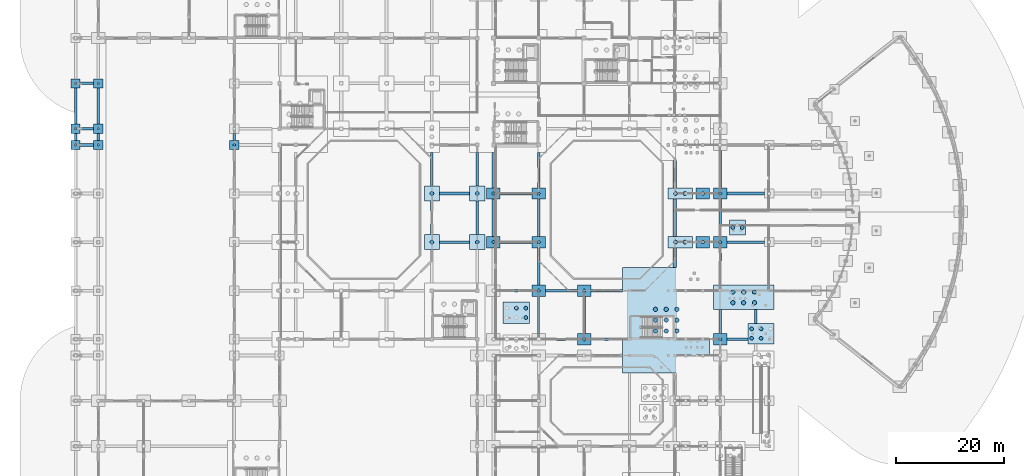
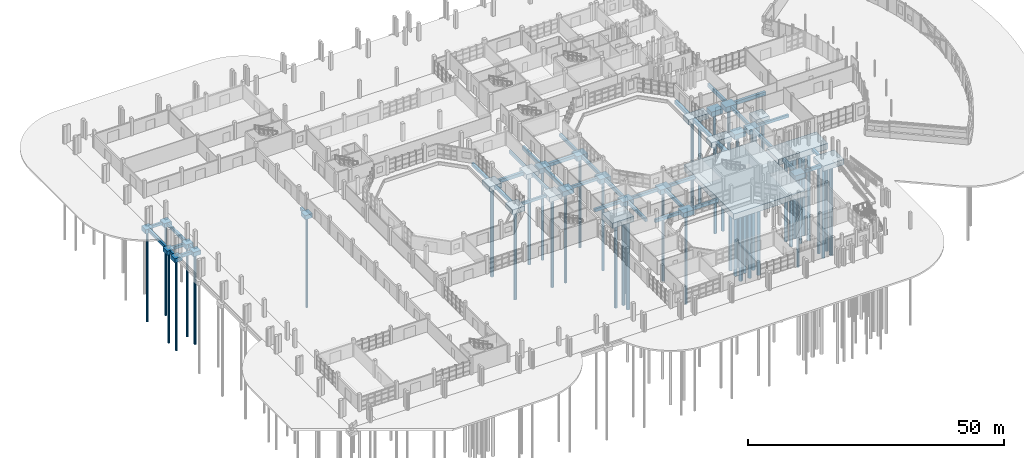
# One storey, part 4 of 88: 69 footings, 51 piles.
"""IFC4 building model written with IfcOpenShell, lengths in metres."""

from ifc_helpers import new_model, si_unit, direction, frame, origin, origin_2d, place, context, subcontext, project, spatial, rectangle, circle, extrude, material, material_profile, profile_set, type_object, element, save


model = new_model("IFC4")

# Units and contexts
model_context = context("Model", 3, precision=1e-05, world=origin(), true_north=direction((0.0, 1.0)))
body_context = subcontext(model_context, "Body", "Model", "MODEL_VIEW")
ifc_project = project(units=[si_unit("LENGTHUNIT", "METRE"), si_unit("AREAUNIT", "SQUARE_METRE"), si_unit("VOLUMEUNIT", "CUBIC_METRE"), si_unit("PLANEANGLEUNIT", "RADIAN"), si_unit("MASSUNIT", "GRAM", prefix="KILO")], contexts=[model_context])

# Site, building, storey
site_placement = place(None, origin())
site = spatial("IfcSite", under=ifc_project, at=site_placement, CompositionType="ELEMENT")
building_placement = place(site_placement, origin())
building = spatial("IfcBuilding", under=site, at=building_placement, Name="Vanh Quang Courtyard School", CompositionType="ELEMENT")
storey_placement = place(building_placement, origin())
storey = spatial("IfcBuildingStorey", under=building, at=storey_placement, Name="L00", CompositionType="ELEMENT", Elevation=0.0)

# Footings
ifc_material_1 = material(Name="Concrete C35/45", Category="concrete")
footing_type_1 = type_object("IfcFootingType", Name="FTG-GB-450x650", PredefinedType="FOOTING_BEAM", material=ifc_material_1)
footing_1_placement = place(storey_placement, frame((70.199951171875, 50.39990234375, -1.050048828125), z_axis=(0.0, 0.0, 1.0), x_axis=(1.0, 0.0, 0.0)))
element("IfcFooting", 1, at=footing_1_placement, inside=storey, type_object=footing_type_1, Name="Footing GB-04 (L00)", PredefinedType="FOOTING_BEAM", context=body_context, shape_type="SweptSolid", body=[
    extrude(rectangle(XDim=5.60009765625, YDim=0.449951171875, at=origin_2d()), origin(), (0.0, 0.0, 1.0), 0.64990234375),
])
footing_2_placement = place(storey_placement, frame((81.60009765625, 50.39990234375, -1.050048828125), z_axis=(0.0, 0.0, 1.0), x_axis=(1.0, 0.0, 0.0)))
element("IfcFooting", 2, at=footing_2_placement, inside=storey, type_object=footing_type_1, Name="Footing GB-04 (L00)", PredefinedType="FOOTING_BEAM", context=body_context, shape_type="SweptSolid", body=[
    extrude(rectangle(XDim=5.89990234375, YDim=0.449951171875, at=origin_2d()), origin(), (0.0, 0.0, 1.0), 0.64990234375),
])
footing_3_placement = place(storey_placement, frame((124.14990234375, 50.39990234375, -1.050048828125), z_axis=(0.0, 0.0, 1.0), x_axis=(1.0, 0.0, 0.0)))
element("IfcFooting", 3, at=footing_3_placement, inside=storey, type_object=footing_type_1, Name="Footing GB-04 (L00)", PredefinedType="FOOTING_BEAM", context=body_context, shape_type="SweptSolid", body=[
    extrude(rectangle(XDim=7.0, YDim=0.449951171875, at=origin_2d()), origin(), (0.0, 0.0, 1.0), 0.64990234375),
])
footing_4_placement = place(storey_placement, frame((2.10009765625, 79.800048828125, -1.050048828125), z_axis=(0.0, 0.0, 1.0), x_axis=(1.0, 0.0, 0.0)))
element("IfcFooting", 4, at=footing_4_placement, inside=storey, type_object=footing_type_1, Name="Footing GB-04 (L00)", PredefinedType="FOOTING_BEAM", context=body_context, shape_type="SweptSolid", body=[
    extrude(rectangle(XDim=2.5, YDim=0.449951171875, at=origin_2d()), origin(), (0.0, 0.0, 1.0), 0.64990234375),
])
for number, where, z_axis, x_axis, name in (
    (5, (74.39990234375, 54.89990234375, -1.050048828125), (0.0, 0.0, 1.0), (0.0, 1.0, 0.0), "Footing GB-04 (L00)"),
    (6, (74.39990234375, 63.89990234375, -1.050048828125), (0.0, 0.0, 1.0), (0.0, 1.0, 0.0), "Footing GB-04 (L00)"),
):
    element("IfcFooting", number, at=place(storey_placement, frame(where, z_axis=z_axis, x_axis=x_axis)), inside=storey, type_object=footing_type_1, Name=name, PredefinedType="FOOTING_BEAM", context=body_context, shape_type="SweptSolid", body=[
        extrude(rectangle(XDim=6.199951171875, YDim=0.449951171875, at=origin_2d()), origin(), (0.0, 0.0, 1.0), 0.64990234375),
    ])
footing_type_2 = type_object("IfcFootingType", Name="FTG-GB-500x700", PredefinedType="FOOTING_BEAM", material=ifc_material_1)
for number, where, z_axis, x_axis, name in (
    (7, (81.60009765625, 41.39990234375, -1.10009765625), (0.0, 0.0, 1.0), (1.0, 0.0, 0.0), "Footing GB-03 (L00)"),
    (8, (90.0, 41.39990234375, -1.10009765625), (0.0, 0.0, 1.0), (1.0, 0.0, 0.0), "Footing GB-03 (L00)"),
    (9, (98.39990234375, 41.39990234375, -1.10009765625), (0.0, 0.0, 1.0), (1.0, 0.0, 0.0), "Footing GB-03 (L00)"),
):
    element("IfcFooting", number, at=place(storey_placement, frame(where, z_axis=z_axis, x_axis=x_axis)), inside=storey, type_object=footing_type_2, Name=name, PredefinedType="FOOTING_BEAM", context=body_context, shape_type="SweptSolid", body=[
        extrude(rectangle(XDim=5.89990234375, YDim=0.5, at=origin_2d()), origin(), (0.0, 0.0, 1.0), 0.699951171875),
    ])
footing_5_placement = place(storey_placement, frame((2.10009765625, 71.39990234375, -1.10009765625), z_axis=(0.0, 0.0, 1.0), x_axis=(1.0, 0.0, 0.0)))
element("IfcFooting", 10, at=footing_5_placement, inside=storey, type_object=footing_type_2, Name="Footing GB-03 (L00)", PredefinedType="FOOTING_BEAM", context=body_context, shape_type="SweptSolid", body=[
    extrude(rectangle(XDim=2.5, YDim=0.5, at=origin_2d()), origin(), (0.0, 0.0, 1.0), 0.699951171875),
])
footing_6_placement = place(storey_placement, frame((4.199951171875, 69.89990234375, -1.10009765625), z_axis=(0.0, 0.0, 1.0), x_axis=(0.0, 1.0, 0.0)))
element("IfcFooting", 11, at=footing_6_placement, inside=storey, type_object=footing_type_2, Name="Footing GB-03 (L00)", PredefinedType="FOOTING_BEAM", context=body_context, shape_type="SweptSolid", body=[
    extrude(rectangle(XDim=1.300048828125, YDim=0.5, at=origin_2d()), origin(), (0.0, 0.0, 1.0), 0.699951171875),
])
footing_7_placement = place(storey_placement, frame((4.199951171875, 75.60009765625, -1.10009765625), z_axis=(0.0, 0.0, 1.0), x_axis=(0.0, 1.0, 0.0)))
element("IfcFooting", 12, at=footing_7_placement, inside=storey, type_object=footing_type_2, Name="Footing GB-03 (L00)", PredefinedType="FOOTING_BEAM", context=body_context, shape_type="SweptSolid", body=[
    extrude(rectangle(XDim=6.699951171875, YDim=0.5, at=origin_2d()), origin(), (0.0, 0.0, 1.0), 0.699951171875),
])
for number, where, z_axis, x_axis, name in (
    (13, (66.0, 54.89990234375, -1.10009765625), (0.0, 0.0, 1.0), (0.0, 1.0, 0.0), "Footing GB-03 (L00)"),
    (14, (66.0, 63.89990234375, -1.10009765625), (0.0, 0.0, 1.0), (0.0, 1.0, 0.0), "Footing GB-03 (L00)"),
):
    element("IfcFooting", number, at=place(storey_placement, frame(where, z_axis=z_axis, x_axis=x_axis)), inside=storey, type_object=footing_type_2, Name=name, PredefinedType="FOOTING_BEAM", context=body_context, shape_type="SweptSolid", body=[
        extrude(rectangle(XDim=6.199951171875, YDim=0.5, at=origin_2d()), origin(), (0.0, 0.0, 1.0), 0.699951171875),
    ])
footing_8_placement = place(storey_placement, frame((94.199951171875, 36.89990234375, -1.10009765625), z_axis=(0.0, 0.0, 1.0), x_axis=(0.0, 1.0, 0.0)))
element("IfcFooting", 15, at=footing_8_placement, inside=storey, type_object=footing_type_2, Name="Footing GB-03 (L00)", PredefinedType="FOOTING_BEAM", context=body_context, shape_type="SweptSolid", body=[
    extrude(rectangle(XDim=6.89990234375, YDim=0.5, at=origin_2d()), origin(), (0.0, 0.0, 1.0), 0.699951171875),
])
footing_9_placement = place(storey_placement, frame((126.0, 36.6201171875, -1.10009765625), z_axis=(0.0, 0.0, 1.0), x_axis=(0.0, 1.0, 0.0)))
element("IfcFooting", 16, at=footing_9_placement, inside=storey, type_object=footing_type_2, Name="Footing GB-03 (L00)", PredefinedType="FOOTING_BEAM", context=body_context, shape_type="SweptSolid", body=[
    extrude(rectangle(XDim=2.5400390625, YDim=0.5, at=origin_2d()), origin(), (0.0, 0.0, 1.0), 0.699951171875),
])
footing_type_3 = type_object("IfcFootingType", Name="FTG-GB-500x750", PredefinedType="FOOTING_BEAM", material=ifc_material_1)
for number, where, z_axis, x_axis, name in (
    (17, (90.0, 32.39990234375, -1.14990234375), (0.0, 0.0, 1.0), (1.0, 0.0, 0.0), "Footing GB-02 (L00)"),
    (18, (98.39990234375, 32.39990234375, -1.14990234375), (0.0, 0.0, 1.0), (1.0, 0.0, 0.0), "Footing GB-02 (L00)"),
):
    element("IfcFooting", number, at=place(storey_placement, frame(where, z_axis=z_axis, x_axis=x_axis)), inside=storey, type_object=footing_type_3, Name=name, PredefinedType="FOOTING_BEAM", context=body_context, shape_type="SweptSolid", body=[
        extrude(rectangle(XDim=5.89990234375, YDim=0.5, at=origin_2d()), origin(), (0.0, 0.0, 1.0), 0.75),
    ])
footing_10_placement = place(storey_placement, frame((122.625, 32.39990234375, -1.14990234375), z_axis=(0.0, 0.0, 1.0), x_axis=(1.0, 0.0, 0.0)))
element("IfcFooting", 19, at=footing_10_placement, inside=storey, type_object=footing_type_3, Name="Footing GB-02 (L00)", PredefinedType="FOOTING_BEAM", context=body_context, shape_type="SweptSolid", body=[
    extrude(rectangle(XDim=3.949951171875, YDim=0.5, at=origin_2d()), origin(), (0.0, 0.0, 1.0), 0.75),
])
footing_11_placement = place(storey_placement, frame((2.10009765625, 68.39990234375, -1.14990234375), z_axis=(0.0, 0.0, 1.0), x_axis=(1.0, 0.0, 0.0)))
element("IfcFooting", 20, at=footing_11_placement, inside=storey, type_object=footing_type_3, Name="Footing GB-02 (L00)", PredefinedType="FOOTING_BEAM", context=body_context, shape_type="SweptSolid", body=[
    extrude(rectangle(XDim=2.5, YDim=0.5, at=origin_2d()), origin(), (0.0, 0.0, 1.0), 0.75),
])
footing_12_placement = place(storey_placement, frame((0.0, 69.89990234375, -1.14990234375), z_axis=(0.0, 0.0, 1.0), x_axis=(0.0, 1.0, 0.0)))
element("IfcFooting", 21, at=footing_12_placement, inside=storey, type_object=footing_type_3, Name="Footing GB-02 (L00)", PredefinedType="FOOTING_BEAM", context=body_context, shape_type="SweptSolid", body=[
    extrude(rectangle(XDim=1.300048828125, YDim=0.5, at=origin_2d()), origin(), (0.0, 0.0, 1.0), 0.75),
])
footing_13_placement = place(storey_placement, frame((0.0, 75.60009765625, -1.14990234375), z_axis=(0.0, 0.0, 1.0), x_axis=(0.0, 1.0, 0.0)))
element("IfcFooting", 22, at=footing_13_placement, inside=storey, type_object=footing_type_3, Name="Footing GB-02 (L00)", PredefinedType="FOOTING_BEAM", context=body_context, shape_type="SweptSolid", body=[
    extrude(rectangle(XDim=6.699951171875, YDim=0.5, at=origin_2d()), origin(), (0.0, 0.0, 1.0), 0.75),
])
footing_14_placement = place(storey_placement, frame((29.39990234375, 69.89990234375, -1.14990234375), z_axis=(0.0, 0.0, 1.0), x_axis=(0.0, 1.0, 0.0)))
element("IfcFooting", 23, at=footing_14_placement, inside=storey, type_object=footing_type_3, Name="Footing GB-02 (L00)", PredefinedType="FOOTING_BEAM", context=body_context, shape_type="SweptSolid", body=[
    extrude(rectangle(XDim=1.300048828125, YDim=0.5, at=origin_2d()), origin(), (0.0, 0.0, 1.0), 0.75),
])
for number, where, z_axis, x_axis, name in (
    (24, (85.800048828125, 36.89990234375, -1.14990234375), (0.0, 0.0, 1.0), (0.0, 1.0, 0.0), "Footing GB-02 (L00)"),
    (25, (85.800048828125, 45.89990234375, -1.14990234375), (0.0, 0.0, 1.0), (0.0, 1.0, 0.0), "Footing GB-02 (L00)"),
    (26, (85.800048828125, 54.89990234375, -1.14990234375), (0.0, 0.0, 1.0), (0.0, 1.0, 0.0), "Footing GB-02 (L00)"),
):
    element("IfcFooting", number, at=place(storey_placement, frame(where, z_axis=z_axis, x_axis=x_axis)), inside=storey, type_object=footing_type_3, Name=name, PredefinedType="FOOTING_BEAM", context=body_context, shape_type="SweptSolid", body=[
        extrude(rectangle(XDim=6.89990234375, YDim=0.5, at=origin_2d()), origin(), (0.0, 0.0, 1.0), 0.75),
    ])
footing_15_placement = place(storey_placement, frame((85.800048828125, 63.72509765625, -1.14990234375), z_axis=(0.0, 0.0, 1.0), x_axis=(0.0, 1.0, 0.0)))
element("IfcFooting", 27, at=footing_15_placement, inside=storey, type_object=footing_type_3, Name="Footing GB-02 (L00)", PredefinedType="FOOTING_BEAM", context=body_context, shape_type="SweptSolid", body=[
    extrude(rectangle(XDim=6.550048828125, YDim=0.5, at=origin_2d()), origin(), (0.0, 0.0, 1.0), 0.75),
])
footing_16_placement = place(storey_placement, frame((119.39990234375, 35.669921875, -1.14990234375), z_axis=(0.0, 0.0, 1.0), x_axis=(0.0, 1.0, 0.0)))
element("IfcFooting", 28, at=footing_16_placement, inside=storey, type_object=footing_type_3, Name="Footing GB-02 (L00)", PredefinedType="FOOTING_BEAM", context=body_context, shape_type="SweptSolid", body=[
    extrude(rectangle(XDim=4.43994140625, YDim=0.5, at=origin_2d()), origin(), (0.0, 0.0, 1.0), 0.75),
])
for number, where, z_axis, x_axis, name in (
    (29, (119.39990234375, 45.89990234375, -1.14990234375), (0.0, 0.0, 1.0), (0.0, 1.0, 0.0), "Footing GB-02 (L00)"),
    (30, (119.39990234375, 54.89990234375, -1.14990234375), (0.0, 0.0, 1.0), (0.0, 1.0, 0.0), "Footing GB-02 (L00)"),
    (31, (119.39990234375, 63.89990234375, -1.14990234375), (0.0, 0.0, 1.0), (0.0, 1.0, 0.0), "Footing GB-02 (L00)"),
):
    element("IfcFooting", number, at=place(storey_placement, frame(where, z_axis=z_axis, x_axis=x_axis)), inside=storey, type_object=footing_type_3, Name=name, PredefinedType="FOOTING_BEAM", context=body_context, shape_type="SweptSolid", body=[
        extrude(rectangle(XDim=6.89990234375, YDim=0.5, at=origin_2d()), origin(), (0.0, 0.0, 1.0), 0.75),
    ])
footing_type_4 = type_object("IfcFootingType", Name="FTG-GB-600x800", PredefinedType="FOOTING_BEAM", material=ifc_material_1)
footing_17_placement = place(storey_placement, frame((70.199951171875, 59.39990234375, -1.2001953125), z_axis=(0.0, 0.0, 1.0), x_axis=(1.0, 0.0, 0.0)))
element("IfcFooting", 32, at=footing_17_placement, inside=storey, type_object=footing_type_4, Name="Footing GB-01 (L00)", PredefinedType="FOOTING_BEAM", context=body_context, shape_type="SweptSolid", body=[
    extrude(rectangle(XDim=5.60009765625, YDim=0.60009765625, at=origin_2d()), origin(), (0.0, 0.0, 1.0), 0.800048828125),
])
footing_18_placement = place(storey_placement, frame((81.60009765625, 59.39990234375, -1.2001953125), z_axis=(0.0, 0.0, 1.0), x_axis=(1.0, 0.0, 0.0)))
element("IfcFooting", 33, at=footing_18_placement, inside=storey, type_object=footing_type_4, Name="Footing GB-01 (L00)", PredefinedType="FOOTING_BEAM", context=body_context, shape_type="SweptSolid", body=[
    extrude(rectangle(XDim=5.89990234375, YDim=0.60009765625, at=origin_2d()), origin(), (0.0, 0.0, 1.0), 0.800048828125),
])
footing_19_placement = place(storey_placement, frame((124.14990234375, 59.39990234375, -1.2001953125), z_axis=(0.0, 0.0, 1.0), x_axis=(1.0, 0.0, 0.0)))
element("IfcFooting", 34, at=footing_19_placement, inside=storey, type_object=footing_type_4, Name="Footing GB-01 (L00)", PredefinedType="FOOTING_BEAM", context=body_context, shape_type="SweptSolid", body=[
    extrude(rectangle(XDim=7.0, YDim=0.60009765625, at=origin_2d()), origin(), (0.0, 0.0, 1.0), 0.800048828125),
])
footing_20_placement = place(storey_placement, frame((77.39990234375, 54.89990234375, -1.2001953125), z_axis=(0.0, 0.0, 1.0), x_axis=(0.0, 1.0, 0.0)))
element("IfcFooting", 35, at=footing_20_placement, inside=storey, type_object=footing_type_4, Name="Footing GB-01 (L00)", PredefinedType="FOOTING_BEAM", context=body_context, shape_type="SweptSolid", body=[
    extrude(rectangle(XDim=6.89990234375, YDim=0.60009765625, at=origin_2d()), origin(), (0.0, 0.0, 1.0), 0.800048828125),
])
footing_21_placement = place(storey_placement, frame((77.39990234375, 63.72509765625, -1.2001953125), z_axis=(0.0, 0.0, 1.0), x_axis=(0.0, 1.0, 0.0)))
element("IfcFooting", 36, at=footing_21_placement, inside=storey, type_object=footing_type_4, Name="Footing GB-01 (L00)", PredefinedType="FOOTING_BEAM", context=body_context, shape_type="SweptSolid", body=[
    extrude(rectangle(XDim=6.550048828125, YDim=0.60009765625, at=origin_2d()), origin(), (0.0, 0.0, 1.0), 0.800048828125),
])
footing_22_placement = place(storey_placement, frame((111.0, 47.52490234375, -1.2001953125), z_axis=(0.0, 0.0, 1.0), x_axis=(0.0, 1.0, 0.0)))
element("IfcFooting", 37, at=footing_22_placement, inside=storey, type_object=footing_type_4, Name="Footing GB-01 (L00)", PredefinedType="FOOTING_BEAM", context=body_context, shape_type="SweptSolid", body=[
    extrude(rectangle(XDim=3.64990234375, YDim=0.60009765625, at=origin_2d()), origin(), (0.0, 0.0, 1.0), 0.800048828125),
])
footing_23_placement = place(storey_placement, frame((111.0, 54.89990234375, -1.2001953125), z_axis=(0.0, 0.0, 1.0), x_axis=(0.0, 1.0, 0.0)))
element("IfcFooting", 38, at=footing_23_placement, inside=storey, type_object=footing_type_4, Name="Footing GB-01 (L00)", PredefinedType="FOOTING_BEAM", context=body_context, shape_type="SweptSolid", body=[
    extrude(rectangle(XDim=6.89990234375, YDim=0.60009765625, at=origin_2d()), origin(), (0.0, 0.0, 1.0), 0.800048828125),
])
footing_24_placement = place(storey_placement, frame((111.0, 63.0, -1.2001953125), z_axis=(0.0, 0.0, 1.0), x_axis=(0.0, 1.0, 0.0)))
element("IfcFooting", 39, at=footing_24_placement, inside=storey, type_object=footing_type_4, Name="Footing GB-01 (L00)", PredefinedType="FOOTING_BEAM", context=body_context, shape_type="SweptSolid", body=[
    extrude(rectangle(XDim=5.10009765625, YDim=0.60009765625, at=origin_2d()), origin(), (0.0, 0.0, 1.0), 0.800048828125),
])
footing_type_5 = type_object("IfcFootingType", Name="FTG-PC-01", PredefinedType="PILE_CAP", material=ifc_material_1)
for number, where, z_axis, x_axis, name in (
    (40, (0.0, 68.39990234375, -1.39990234375), (0.0, 0.0, 1.0), (1.0, 0.0, 0.0), "Footing PC-01 (L00)"),
    (41, (4.199951171875, 68.39990234375, -1.39990234375), (0.0, 0.0, 1.0), (1.0, 0.0, 0.0), "Footing PC-01 (L00)"),
    (42, (29.39990234375, 68.39990234375, -1.39990234375), (0.0, 0.0, 1.0), (1.0, 0.0, 0.0), "Footing PC-01 (L00)"),
    (43, (0.0, 71.39990234375, -1.39990234375), (0.0, 0.0, 1.0), (1.0, 0.0, 0.0), "Footing PC-01 (L00)"),
    (44, (4.199951171875, 71.39990234375, -1.39990234375), (0.0, 0.0, 1.0), (1.0, 0.0, 0.0), "Footing PC-01 (L00)"),
    (45, (0.0, 79.800048828125, -1.39990234375), (0.0, 0.0, 1.0), (1.0, 0.0, 0.0), "Footing PC-01 (L00)"),
    (46, (4.199951171875, 79.800048828125, -1.39990234375), (0.0, 0.0, 1.0), (1.0, 0.0, 0.0), "Footing PC-01 (L00)"),
):
    element("IfcFooting", number, at=place(storey_placement, frame(where, z_axis=z_axis, x_axis=x_axis)), inside=storey, type_object=footing_type_5, Name=name, PredefinedType="PILE_CAP", context=body_context, shape_type="SweptSolid", body=[
        extrude(rectangle(XDim=1.699951171875, YDim=1.699951171875, at=origin_2d()), origin(), (0.0, 0.0, 1.0), 1.0),
    ])
footing_type_6 = type_object("IfcFootingType", Name="FTG-PC-03", PredefinedType="PILE_CAP", material=ifc_material_1)
for number, where, z_axis, x_axis, name in (
    (47, (94.199951171875, 32.39990234375, -1.550048828125), (0.0, 0.0, 1.0), (1.0, 0.0, 0.0), "Footing PC-03 (L00)"),
    (48, (119.39990234375, 32.39990234375, -1.550048828125), (0.0, 0.0, 1.0), (1.0, 0.0, 0.0), "Footing PC-03 (L00)"),
    (49, (85.800048828125, 41.39990234375, -1.550048828125), (0.0, 0.0, 1.0), (1.0, 0.0, 0.0), "Footing PC-03 (L00)"),
    (50, (94.199951171875, 41.39990234375, -1.550048828125), (0.0, 0.0, 1.0), (1.0, 0.0, 0.0), "Footing PC-03 (L00)"),
    (51, (77.39990234375, 50.39990234375, -1.550048828125), (0.0, 0.0, 1.0), (1.0, 0.0, 0.0), "Footing PC-03 (L00)"),
    (52, (85.800048828125, 50.39990234375, -1.550048828125), (0.0, 0.0, 1.0), (1.0, 0.0, 0.0), "Footing PC-03 (L00)"),
    (53, (116.199951171875, 50.39990234375, -1.550048828125), (0.0, 0.0, 1.0), (1.0, 0.0, 0.0), "Footing PC-03 (L00)"),
    (54, (119.39990234375, 50.39990234375, -1.550048828125), (0.0, 0.0, 1.0), (1.0, 0.0, 0.0), "Footing PC-03 (L00)"),
    (55, (77.39990234375, 59.39990234375, -1.550048828125), (0.0, 0.0, 1.0), (1.0, 0.0, 0.0), "Footing PC-03 (L00)"),
    (56, (85.800048828125, 59.39990234375, -1.550048828125), (0.0, 0.0, 1.0), (1.0, 0.0, 0.0), "Footing PC-03 (L00)"),
    (57, (116.199951171875, 59.39990234375, -1.550048828125), (0.0, 0.0, 1.0), (1.0, 0.0, 0.0), "Footing PC-03 (L00)"),
    (58, (119.39990234375, 59.39990234375, -1.550048828125), (0.0, 0.0, 1.0), (1.0, 0.0, 0.0), "Footing PC-03 (L00)"),
):
    element("IfcFooting", number, at=place(storey_placement, frame(where, z_axis=z_axis, x_axis=x_axis)), inside=storey, type_object=footing_type_6, Name=name, PredefinedType="PILE_CAP", context=body_context, shape_type="SweptSolid", body=[
        extrude(rectangle(XDim=2.5, YDim=2.10009765625, at=origin_2d()), origin(), (0.0, 0.0, 1.0), 1.14990234375),
    ])
footing_type_7 = type_object("IfcFootingType", Name="FTG-PC-11", PredefinedType="PILE_CAP", material=ifc_material_1)
footing_25_placement = place(storey_placement, frame((109.39990234375, 35.945068359375, -1.800048828125), z_axis=(0.0, 0.0, 1.0), x_axis=(1.0, 0.0, 0.0)))
element("IfcFooting", 59, at=footing_25_placement, inside=storey, type_object=footing_type_7, Name="Footing PC-11 (L00)", PredefinedType="PILE_CAP", context=body_context, shape_type="SweptSolid", body=[
    extrude(rectangle(XDim=16.10009765625, YDim=19.510009765625, at=origin_2d()), origin(), (0.0, 0.0, 1.0), 1.39990234375),
])
footing_type_8 = type_object("IfcFootingType", Name="FTG-PC-14", PredefinedType="PILE_CAP", material=ifc_material_1)
for number, where, z_axis, x_axis, name in (
    (60, (66.0, 50.39990234375, -1.550048828125), (0.0, 0.0, 1.0), (1.0, 0.0, 0.0), "Footing PC-14 (L00)"),
    (61, (74.39990234375, 50.39990234375, -1.550048828125), (0.0, 0.0, 1.0), (1.0, 0.0, 0.0), "Footing PC-14 (L00)"),
    (62, (66.0, 59.39990234375, -1.550048828125), (0.0, 0.0, 1.0), (1.0, 0.0, 0.0), "Footing PC-14 (L00)"),
    (63, (74.39990234375, 59.39990234375, -1.550048828125), (0.0, 0.0, 1.0), (1.0, 0.0, 0.0), "Footing PC-14 (L00)"),
):
    element("IfcFooting", number, at=place(storey_placement, frame(where, z_axis=z_axis, x_axis=x_axis)), inside=storey, type_object=footing_type_8, Name=name, PredefinedType="PILE_CAP", context=body_context, shape_type="SweptSolid", body=[
        extrude(rectangle(XDim=2.800048828125, YDim=2.800048828125, at=origin_2d()), origin(), (0.0, 0.0, 1.0), 1.14990234375),
    ])
footing_type_9 = type_object("IfcFootingType", Name="FTG-PC-16", PredefinedType="PILE_CAP", material=ifc_material_1)
footing_26_placement = place(storey_placement, frame((126.97509765625, 33.449951171875, -1.64990234375), z_axis=(0.0, 0.0, 1.0), x_axis=(1.0, 0.0, 0.0)))
element("IfcFooting", 64, at=footing_26_placement, inside=storey, type_object=footing_type_9, Name="Footing PC-16 (L00)", PredefinedType="PILE_CAP", context=body_context, shape_type="SweptSolid", body=[
    extrude(rectangle(XDim=4.75, YDim=3.800048828125, at=origin_2d()), origin(), (0.0, 0.0, 1.0), 1.25),
])
footing_type_10 = type_object("IfcFootingType", Name="FTG-PC-17", PredefinedType="PILE_CAP", material=ifc_material_1)
footing_27_placement = place(storey_placement, frame((81.64990234375, 37.294921875, -1.64990234375), z_axis=(0.0, 0.0, 1.0), x_axis=(1.0, 0.0, 0.0)))
element("IfcFooting", 65, at=footing_27_placement, inside=storey, type_object=footing_type_10, Name="Footing PC-17 (L00)", PredefinedType="PILE_CAP", context=body_context, shape_type="SweptSolid", body=[
    extrude(rectangle(XDim=4.89990234375, YDim=4.010009765625, at=origin_2d()), origin(), (0.0, 0.0, 1.0), 1.25),
])
footing_type_11 = type_object("IfcFootingType", Name="FTG-PC-18", PredefinedType="PILE_CAP", material=ifc_material_1)
footing_28_placement = place(storey_placement, frame((123.75, 40.169921875, -1.800048828125), z_axis=(0.0, 0.0, 1.0), x_axis=(1.0, 0.0, 0.0)))
element("IfcFooting", 66, at=footing_28_placement, inside=storey, type_object=footing_type_11, Name="Footing PC-18 (L00)", PredefinedType="PILE_CAP", context=body_context, shape_type="SweptSolid", body=[
    extrude(rectangle(XDim=11.199951171875, YDim=4.56005859375, at=origin_2d()), origin(), (0.0, 0.0, 1.0), 1.39990234375),
])
footing_type_12 = type_object("IfcFootingType", Name="FTG-PC-19", PredefinedType="PILE_CAP", material=ifc_material_1)
for number, where, z_axis, x_axis, name in (
    (67, (112.0, 50.39990234375, -1.64990234375), (0.0, 0.0, 1.0), (1.0, 0.0, 0.0), "Footing PC-19 (L00)"),
    (68, (112.0, 59.39990234375, -1.64990234375), (0.0, 0.0, 1.0), (1.0, 0.0, 0.0), "Footing PC-19 (L00)"),
):
    element("IfcFooting", number, at=place(storey_placement, frame(where, z_axis=z_axis, x_axis=x_axis)), inside=storey, type_object=footing_type_12, Name=name, PredefinedType="PILE_CAP", context=body_context, shape_type="SweptSolid", body=[
        extrude(rectangle(XDim=4.5, YDim=2.10009765625, at=origin_2d()), origin(), (0.0, 0.0, 1.0), 1.25),
    ])
footing_type_13 = type_object("IfcFootingType", Name="FTG-PC-20", PredefinedType="PILE_CAP", material=ifc_material_1)
footing_29_placement = place(storey_placement, frame((122.60009765625, 53.10009765625, -1.64990234375), z_axis=(0.0, 0.0, 1.0), x_axis=(1.0, 0.0, 0.0)))
element("IfcFooting", 69, at=footing_29_placement, inside=storey, type_object=footing_type_13, Name="Footing PC-20 (L00)", PredefinedType="PILE_CAP", context=body_context, shape_type="SweptSolid", body=[
    extrude(rectangle(XDim=3.0, YDim=2.800048828125, at=origin_2d()), origin(), (0.0, 0.0, 1.0), 1.25),
])

# Piles
ifc_material_2 = material(Name="Concrete C30/37", Category="concrete")
ifc_material_profile_1 = material_profile(ifc_material_2, circle(Radius=0.25, at=origin_2d()), Name="PILE D500")
ifc_profile_set_1 = profile_set([ifc_material_profile_1], Name="Concrete C30/37")
pile_type_1 = type_object("IfcPileType", Name="PILE-BORED-500", PredefinedType="BORED", material=ifc_profile_set_1)
for number, where, z_axis, x_axis, name in (
    (70, (0.0, 68.39990234375, -1.300048828125), (0.0, 0.0, -1.0), (1.0, 0.0, 0.0), "Bored Pile BP-01 (L00)"),
    (71, (4.199951171875, 68.39990234375, -1.300048828125), (0.0, 0.0, -1.0), (1.0, 0.0, 0.0), "Bored Pile BP-01 (L00)"),
    (72, (29.39990234375, 68.39990234375, -1.300048828125), (0.0, 0.0, -1.0), (1.0, 0.0, 0.0), "Bored Pile BP-01 (L00)"),
    (73, (0.0, 71.39990234375, -1.300048828125), (0.0, 0.0, -1.0), (1.0, 0.0, 0.0), "Bored Pile BP-01 (L00)"),
    (74, (4.199951171875, 71.39990234375, -1.300048828125), (0.0, 0.0, -1.0), (1.0, 0.0, 0.0), "Bored Pile BP-01 (L00)"),
    (75, (0.0, 79.800048828125, -1.300048828125), (0.0, 0.0, -1.0), (1.0, 0.0, 0.0), "Bored Pile BP-01 (L00)"),
    (76, (4.199951171875, 79.800048828125, -1.300048828125), (0.0, 0.0, -1.0), (1.0, 0.0, 0.0), "Bored Pile BP-01 (L00)"),
):
    element("IfcPile", number, at=place(storey_placement, frame(where, z_axis=z_axis, x_axis=x_axis)), inside=storey, type_object=pile_type_1, Name=name, PredefinedType="BORED", context=body_context, shape_type="SweptSolid", body=[
        extrude(circle(Radius=0.25, at=origin_2d()), origin(), (0.0, 0.0, 1.0), 21.699951171875),
    ])
ifc_material_profile_2 = material_profile(ifc_material_2, circle(Radius=0.300048828125, at=origin_2d()), Name="PILE D600")
ifc_profile_set_2 = profile_set([ifc_material_profile_2], Name="Concrete C30/37")
pile_type_2 = type_object("IfcPileType", Name="PILE-BORED-600", PredefinedType="BORED", material=ifc_profile_set_2)
for number, where, z_axis, x_axis, name in (
    (77, (94.199951171875, 32.39990234375, -1.449951171875), (0.0, 0.0, -1.0), (1.0, 0.0, 0.0), "Bored Pile BP-02 (L00)"),
    (78, (119.39990234375, 32.39990234375, -1.449951171875), (0.0, 0.0, -1.0), (1.0, 0.0, 0.0), "Bored Pile BP-02 (L00)"),
    (79, (85.800048828125, 41.39990234375, -1.449951171875), (0.0, 0.0, -1.0), (1.0, 0.0, 0.0), "Bored Pile BP-02 (L00)"),
    (80, (94.199951171875, 41.39990234375, -1.449951171875), (0.0, 0.0, -1.0), (1.0, 0.0, 0.0), "Bored Pile BP-02 (L00)"),
    (81, (77.39990234375, 50.39990234375, -1.449951171875), (0.0, 0.0, -1.0), (1.0, 0.0, 0.0), "Bored Pile BP-02 (L00)"),
    (82, (85.800048828125, 50.39990234375, -1.449951171875), (0.0, 0.0, -1.0), (1.0, 0.0, 0.0), "Bored Pile BP-02 (L00)"),
    (83, (116.199951171875, 50.39990234375, -1.449951171875), (0.0, 0.0, -1.0), (1.0, 0.0, 0.0), "Bored Pile BP-02 (L00)"),
    (84, (119.39990234375, 50.39990234375, -1.449951171875), (0.0, 0.0, -1.0), (1.0, 0.0, 0.0), "Bored Pile BP-02 (L00)"),
    (85, (77.39990234375, 59.39990234375, -1.449951171875), (0.0, 0.0, -1.0), (1.0, 0.0, 0.0), "Bored Pile BP-02 (L00)"),
    (86, (85.800048828125, 59.39990234375, -1.449951171875), (0.0, 0.0, -1.0), (1.0, 0.0, 0.0), "Bored Pile BP-02 (L00)"),
    (87, (116.199951171875, 59.39990234375, -1.449951171875), (0.0, 0.0, -1.0), (1.0, 0.0, 0.0), "Bored Pile BP-02 (L00)"),
    (88, (119.39990234375, 59.39990234375, -1.449951171875), (0.0, 0.0, -1.0), (1.0, 0.0, 0.0), "Bored Pile BP-02 (L00)"),
):
    element("IfcPile", number, at=place(storey_placement, frame(where, z_axis=z_axis, x_axis=x_axis)), inside=storey, type_object=pile_type_2, Name=name, PredefinedType="BORED", context=body_context, shape_type="SweptSolid", body=[
        extrude(circle(Radius=0.300048828125, at=origin_2d()), origin(), (0.0, 0.0, 1.0), 21.550048828125),
    ])
ifc_material_profile_3 = material_profile(ifc_material_2, circle(Radius=0.35009765625, at=origin_2d()), Name="PILE D700")
ifc_profile_set_3 = profile_set([ifc_material_profile_3], Name="Concrete C30/37")
pile_type_3 = type_object("IfcPileType", Name="PILE-BORED-700", PredefinedType="BORED", material=ifc_profile_set_3)
for number, where, z_axis, x_axis, name in (
    (89, (125.22509765625, 32.574951171875, -1.550048828125), (0.0, 0.0, -1.0), (1.0, 0.0, 0.0), "Bored Pile BP-03 (L00)"),
    (90, (125.22509765625, 34.324951171875, -1.550048828125), (0.0, 0.0, -1.0), (1.0, 0.0, 0.0), "Bored Pile BP-03 (L00)"),
    (91, (126.97509765625, 32.574951171875, -1.550048828125), (0.0, 0.0, -1.0), (1.0, 0.0, 0.0), "Bored Pile BP-03 (L00)"),
    (92, (126.97509765625, 34.324951171875, -1.550048828125), (0.0, 0.0, -1.0), (1.0, 0.0, 0.0), "Bored Pile BP-03 (L00)"),
    (93, (81.64990234375, 38.169921875, -1.550048828125), (0.0, 0.0, -1.0), (1.0, 0.0, 0.0), "Bored Pile BP-03 (L00)"),
    (94, (83.39990234375, 36.419921875, -1.550048828125), (0.0, 0.0, -1.0), (1.0, 0.0, 0.0), "Bored Pile BP-03 (L00)"),
    (95, (83.39990234375, 38.169921875, -1.550048828125), (0.0, 0.0, -1.0), (1.0, 0.0, 0.0), "Bored Pile BP-03 (L00)"),
):
    element("IfcPile", number, at=place(storey_placement, frame(where, z_axis=z_axis, x_axis=x_axis)), inside=storey, type_object=pile_type_3, Name=name, PredefinedType="BORED", context=body_context, shape_type="SweptSolid", body=[
        extrude(circle(Radius=0.35009765625, at=origin_2d()), origin(), (0.0, 0.0, 1.0), 21.449951171875),
    ])
for number, where, z_axis, x_axis, name in (
    (96, (66.0, 50.39990234375, -1.449951171875), (0.0, 0.0, -1.0), (1.0, 0.0, 0.0), "Bored Pile BP-03 (L00)"),
    (97, (74.39990234375, 50.39990234375, -1.449951171875), (0.0, 0.0, -1.0), (1.0, 0.0, 0.0), "Bored Pile BP-03 (L00)"),
):
    element("IfcPile", number, at=place(storey_placement, frame(where, z_axis=z_axis, x_axis=x_axis)), inside=storey, type_object=pile_type_3, Name=name, PredefinedType="BORED", context=body_context, shape_type="SweptSolid", body=[
        extrude(circle(Radius=0.35009765625, at=origin_2d()), origin(), (0.0, 0.0, 1.0), 21.550048828125),
    ])
for number, where, z_axis, x_axis, name in (
    (98, (111.125, 50.39990234375, -1.550048828125), (0.0, 0.0, -1.0), (1.0, 0.0, 0.0), "Bored Pile BP-03 (L00)"),
    (99, (112.875, 50.39990234375, -1.550048828125), (0.0, 0.0, -1.0), (1.0, 0.0, 0.0), "Bored Pile BP-03 (L00)"),
    (100, (121.72509765625, 53.10009765625, -1.550048828125), (0.0, 0.0, -1.0), (1.0, 0.0, 0.0), "Bored Pile BP-03 (L00)"),
    (101, (123.47509765625, 53.10009765625, -1.550048828125), (0.0, 0.0, -1.0), (1.0, 0.0, 0.0), "Bored Pile BP-03 (L00)"),
):
    element("IfcPile", number, at=place(storey_placement, frame(where, z_axis=z_axis, x_axis=x_axis)), inside=storey, type_object=pile_type_3, Name=name, PredefinedType="BORED", context=body_context, shape_type="SweptSolid", body=[
        extrude(circle(Radius=0.35009765625, at=origin_2d()), origin(), (0.0, 0.0, 1.0), 21.449951171875),
    ])
for number, where, z_axis, x_axis, name in (
    (102, (66.0, 59.39990234375, -1.449951171875), (0.0, 0.0, -1.0), (1.0, 0.0, 0.0), "Bored Pile BP-03 (L00)"),
    (103, (74.39990234375, 59.39990234375, -1.449951171875), (0.0, 0.0, -1.0), (1.0, 0.0, 0.0), "Bored Pile BP-03 (L00)"),
):
    element("IfcPile", number, at=place(storey_placement, frame(where, z_axis=z_axis, x_axis=x_axis)), inside=storey, type_object=pile_type_3, Name=name, PredefinedType="BORED", context=body_context, shape_type="SweptSolid", body=[
        extrude(circle(Radius=0.35009765625, at=origin_2d()), origin(), (0.0, 0.0, 1.0), 21.550048828125),
    ])
for number, where, z_axis, x_axis, name in (
    (104, (111.125, 59.39990234375, -1.550048828125), (0.0, 0.0, -1.0), (1.0, 0.0, 0.0), "Bored Pile BP-03 (L00)"),
    (105, (112.875, 59.39990234375, -1.550048828125), (0.0, 0.0, -1.0), (1.0, 0.0, 0.0), "Bored Pile BP-03 (L00)"),
):
    element("IfcPile", number, at=place(storey_placement, frame(where, z_axis=z_axis, x_axis=x_axis)), inside=storey, type_object=pile_type_3, Name=name, PredefinedType="BORED", context=body_context, shape_type="SweptSolid", body=[
        extrude(circle(Radius=0.35009765625, at=origin_2d()), origin(), (0.0, 0.0, 1.0), 21.449951171875),
    ])
ifc_material_profile_4 = material_profile(ifc_material_2, circle(Radius=0.39990234375, at=origin_2d()), Name="PILE D800")
ifc_profile_set_4 = profile_set([ifc_material_profile_4], Name="Concrete C30/37")
pile_type_4 = type_object("IfcPileType", Name="PILE-BORED-800", PredefinedType="BORED", material=ifc_profile_set_4)
for number, where, z_axis, x_axis, name in (
    (106, (107.39990234375, 33.945068359375, -1.699951171875), (0.0, 0.0, -1.0), (1.0, 0.0, 0.0), "Bored Pile BP-04 (L00)"),
    (107, (107.39990234375, 35.945068359375, -1.699951171875), (0.0, 0.0, -1.0), (1.0, 0.0, 0.0), "Bored Pile BP-04 (L00)"),
    (108, (107.39990234375, 37.945068359375, -1.699951171875), (0.0, 0.0, -1.0), (1.0, 0.0, 0.0), "Bored Pile BP-04 (L00)"),
    (109, (109.39990234375, 33.945068359375, -1.699951171875), (0.0, 0.0, -1.0), (1.0, 0.0, 0.0), "Bored Pile BP-04 (L00)"),
    (110, (109.39990234375, 35.945068359375, -1.699951171875), (0.0, 0.0, -1.0), (1.0, 0.0, 0.0), "Bored Pile BP-04 (L00)"),
    (111, (109.39990234375, 37.945068359375, -1.699951171875), (0.0, 0.0, -1.0), (1.0, 0.0, 0.0), "Bored Pile BP-04 (L00)"),
    (112, (111.39990234375, 33.945068359375, -1.699951171875), (0.0, 0.0, -1.0), (1.0, 0.0, 0.0), "Bored Pile BP-04 (L00)"),
    (113, (111.39990234375, 35.945068359375, -1.699951171875), (0.0, 0.0, -1.0), (1.0, 0.0, 0.0), "Bored Pile BP-04 (L00)"),
    (114, (111.39990234375, 37.945068359375, -1.699951171875), (0.0, 0.0, -1.0), (1.0, 0.0, 0.0), "Bored Pile BP-04 (L00)"),
    (115, (121.75, 39.169921875, -1.699951171875), (0.0, 0.0, -1.0), (1.0, 0.0, 0.0), "Bored Pile BP-04 (L00)"),
    (116, (121.75, 41.169921875, -1.699951171875), (0.0, 0.0, -1.0), (1.0, 0.0, 0.0), "Bored Pile BP-04 (L00)"),
    (117, (123.75, 39.169921875, -1.699951171875), (0.0, 0.0, -1.0), (1.0, 0.0, 0.0), "Bored Pile BP-04 (L00)"),
    (118, (123.75, 41.169921875, -1.699951171875), (0.0, 0.0, -1.0), (1.0, 0.0, 0.0), "Bored Pile BP-04 (L00)"),
    (119, (125.75, 39.169921875, -1.699951171875), (0.0, 0.0, -1.0), (1.0, 0.0, 0.0), "Bored Pile BP-04 (L00)"),
    (120, (125.75, 41.169921875, -1.699951171875), (0.0, 0.0, -1.0), (1.0, 0.0, 0.0), "Bored Pile BP-04 (L00)"),
):
    element("IfcPile", number, at=place(storey_placement, frame(where, z_axis=z_axis, x_axis=x_axis)), inside=storey, type_object=pile_type_4, Name=name, PredefinedType="BORED", context=body_context, shape_type="SweptSolid", body=[
        extrude(circle(Radius=0.39990234375, at=origin_2d()), origin(), (0.0, 0.0, 1.0), 21.300048828125),
    ])

save(model, "model.ifc")
